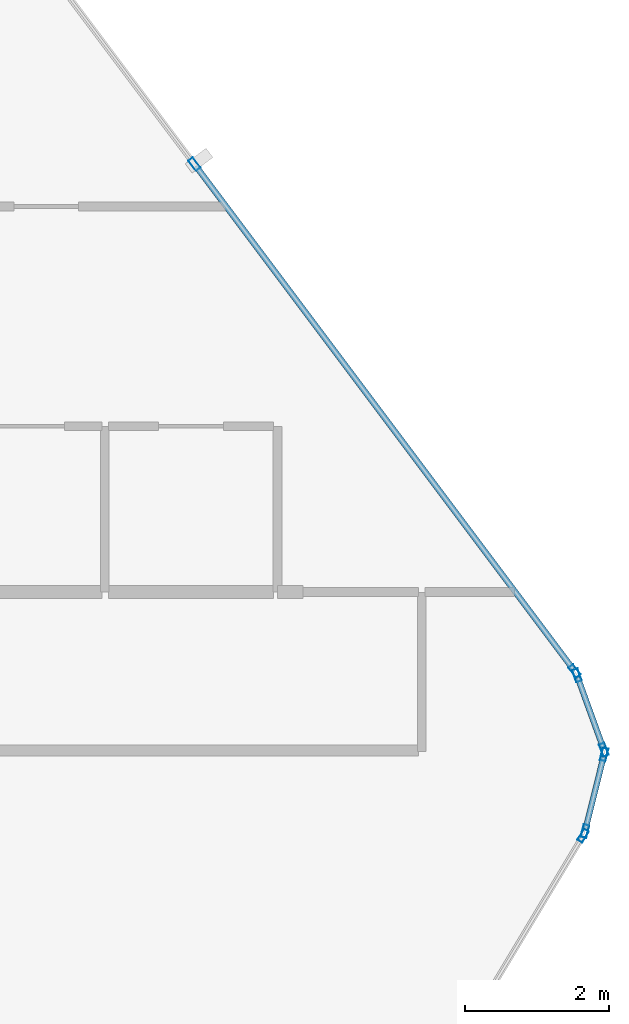
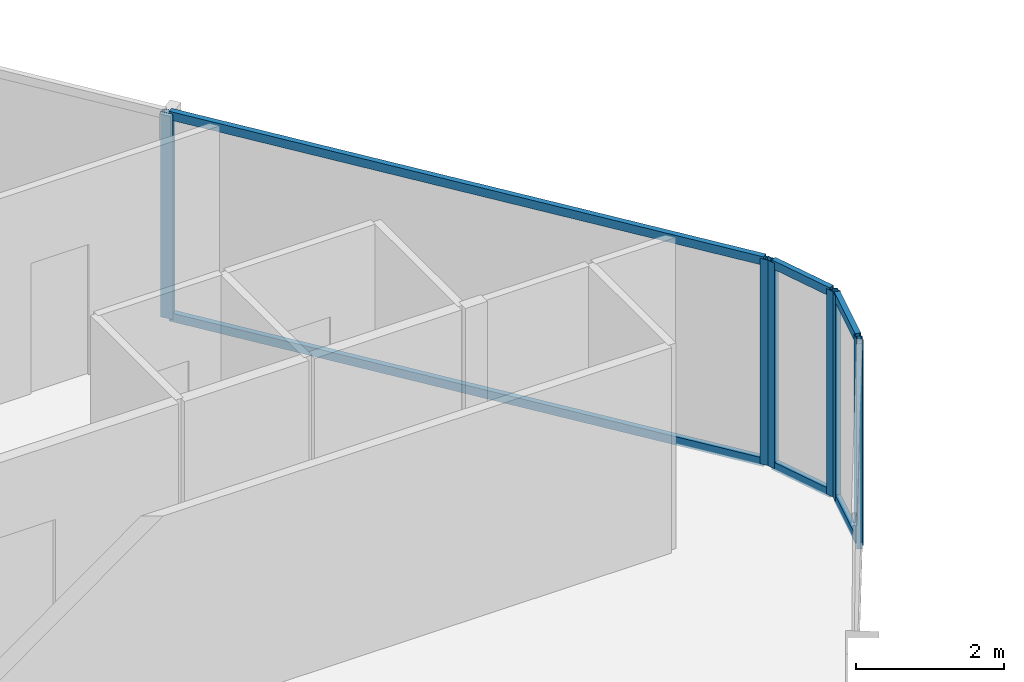
# One storey, part 18 of 30: 13 members, 4 elements without a shape of their own.
"""IFC4 building model written with IfcOpenShell, lengths in metres."""

from ifc_helpers import new_model, si_unit, direction, frame, origin, origin_2d, place, context, subcontext, project, spatial, hollow_rectangle, extrude, material, layer, layer_set, material_profile, profile_set, type_object, element, aggregate, save


model = new_model("IFC4")

# Units and contexts
model_context = context("Model", 3, precision=1e-05, world=origin(), true_north=direction((0.0, 1.0)))
body_context = subcontext(model_context, "Body", "Model", "MODEL_VIEW")
ifc_project = project(units=[si_unit("LENGTHUNIT", "METRE"), si_unit("AREAUNIT", "SQUARE_METRE"), si_unit("VOLUMEUNIT", "CUBIC_METRE"), si_unit("PLANEANGLEUNIT", "RADIAN"), si_unit("MASSUNIT", "GRAM", prefix="KILO")], contexts=[model_context])

# Site, building, storey
site_placement = place(None, origin())
site = spatial("IfcSite", under=ifc_project, at=site_placement, CompositionType="ELEMENT")
building_placement = place(site_placement, origin())
building = spatial("IfcBuilding", under=site, at=building_placement, Name="Keshet Zoharim Tower", CompositionType="ELEMENT")
storey_placement = place(building_placement, frame((0.0, 0.0, 109.39990234375)))
storey = spatial("IfcBuildingStorey", under=building, at=storey_placement, Name="L26", CompositionType="ELEMENT", Elevation=109.39990234375)

# Curtain wall, members
ifc_material = material(Name="Aluminium 6063-T6", Category="aluminium")
ifc_layer = layer(ifc_material, 0.159912109375)
ifc_layer_set = layer_set([ifc_layer], Name="Aluminium 6063-T6")
curtain_wall_type = type_object("IfcCurtainWallType", Name="CW-SYS-03", PredefinedType="NOTDEFINED", material=ifc_layer_set)
curtain_wall_1_placement = place(storey_placement, origin())
curtain_wall_1 = element("IfcCurtainWall", 1, at=curtain_wall_1_placement, inside=storey, type_object=curtain_wall_type, Name="L26 Unitised Curtain Wall 15", PredefinedType="NOTDEFINED")
ifc_material_profile_1 = material_profile(ifc_material, hollow_rectangle(XDim=0.080078125, YDim=0.179931640625, WallThickness=0.00439453125, at=origin_2d()), Name="MUL-80x180")
ifc_profile_set_1 = profile_set([ifc_material_profile_1], Name="Aluminium 6063-T6")
member_type_1 = type_object("IfcMemberType", Name="CWM-M18", PredefinedType="MULLION", material=ifc_profile_set_1)
member_1_placement = place(storey_placement, frame((56.896484375, 46.0380859375, 0.0), z_axis=(0.0, 0.0, 1.0), x_axis=(0.799999999998, 0.600000000002, 0.0)))
member_1 = element("IfcMember", 2, at=member_1_placement, type_object=member_type_1, Name="CW-03 mullion 2", PredefinedType="MULLION", context=body_context, shape_type="SweptSolid", body=[
    extrude(hollow_rectangle(XDim=0.080078125, YDim=0.179931640625, WallThickness=0.00439453125, at=origin_2d()), origin(), (0.0, 0.0, 1.0), 3.385009765625),
])
member_2_placement = place(storey_placement, frame((62.172119140625, 39.00390625, 0.0), z_axis=(0.0, 0.0, 1.0), x_axis=(0.799999999998, 0.600000000002, 0.0)))
member_2 = element("IfcMember", 3, at=member_2_placement, type_object=member_type_1, Name="CW-03 mullion 3", PredefinedType="MULLION", context=body_context, shape_type="SweptSolid", body=[
    extrude(hollow_rectangle(XDim=0.080078125, YDim=0.179931640625, WallThickness=0.00439453125, at=origin_2d()), origin(), (0.0, 0.0, 1.0), 3.385009765625),
])

curtain_wall_2_placement = place(storey_placement, origin())
curtain_wall_2 = element("IfcCurtainWall", 4, at=curtain_wall_2_placement, inside=storey, type_object=curtain_wall_type, Name="L26 Unitised Curtain Wall 16", PredefinedType="NOTDEFINED")
member_3_placement = place(storey_placement, frame((62.204833984375, 38.943115234375, 0.0), z_axis=(0.0, 0.0, 1.0), x_axis=(0.940317877544, 0.340297354046, 0.0)))
member_3 = element("IfcMember", 5, at=member_3_placement, type_object=member_type_1, Name="CW-03 mullion 1", PredefinedType="MULLION", context=body_context, shape_type="SweptSolid", body=[
    extrude(hollow_rectangle(XDim=0.080078125, YDim=0.179931640625, WallThickness=0.00439453125, at=origin_2d()), origin(), (0.0, 0.0, 1.0), 3.385009765625),
])
member_4_placement = place(storey_placement, frame((62.578125, 37.911865234375, 0.0), z_axis=(0.0, 0.0, 1.0), x_axis=(0.940317877544, 0.340297354046, 0.0)))
member_4 = element("IfcMember", 6, at=member_4_placement, type_object=member_type_1, Name="CW-03 mullion 2", PredefinedType="MULLION", context=body_context, shape_type="SweptSolid", body=[
    extrude(hollow_rectangle(XDim=0.080078125, YDim=0.179931640625, WallThickness=0.00439453125, at=origin_2d()), origin(), (0.0, 0.0, 1.0), 3.385009765625),
])

curtain_wall_3_placement = place(storey_placement, origin())
curtain_wall_3 = element("IfcCurtainWall", 7, at=curtain_wall_3_placement, inside=storey, type_object=curtain_wall_type, Name="L26 Unitised Curtain Wall 17", PredefinedType="NOTDEFINED")
member_5_placement = place(storey_placement, frame((62.58154296875, 37.844970703125, 0.0), z_axis=(0.0, 0.0, 1.0), x_axis=(0.970343857447, -0.241728770141, 0.0)))
member_5 = element("IfcMember", 8, at=member_5_placement, type_object=member_type_1, Name="CW-03 mullion 1", PredefinedType="MULLION", context=body_context, shape_type="SweptSolid", body=[
    extrude(hollow_rectangle(XDim=0.080078125, YDim=0.179931640625, WallThickness=0.00439453125, at=origin_2d()), origin(), (0.0, 0.0, 1.0), 3.385009765625),
])
member_6_placement = place(storey_placement, frame((62.31640625, 36.781005859375, 0.0), z_axis=(0.0, 0.0, 1.0), x_axis=(0.970343857447, -0.241728770141, 0.0)))
member_6 = element("IfcMember", 9, at=member_6_placement, type_object=member_type_1, Name="CW-03 mullion 2", PredefinedType="MULLION", context=body_context, shape_type="SweptSolid", body=[
    extrude(hollow_rectangle(XDim=0.080078125, YDim=0.179931640625, WallThickness=0.00439453125, at=origin_2d()), origin(), (0.0, 0.0, 1.0), 3.385009765625),
])

# Curtain wall, member
curtain_wall_4_placement = place(storey_placement, origin())
curtain_wall_4 = element("IfcCurtainWall", 10, at=curtain_wall_4_placement, inside=storey, type_object=curtain_wall_type, Name="L26 Unitised Curtain Wall 18", PredefinedType="NOTDEFINED")
member_7_placement = place(storey_placement, frame((62.2900390625, 36.717041015625, 0.0), z_axis=(0.0, 0.0, 1.0), x_axis=(0.857501477862, -0.514481501576, 0.0)))
member_7 = element("IfcMember", 11, at=member_7_placement, type_object=member_type_1, Name="CW-03 mullion 1", PredefinedType="MULLION", context=body_context, shape_type="SweptSolid", body=[
    extrude(hollow_rectangle(XDim=0.080078125, YDim=0.179931640625, WallThickness=0.00439453125, at=origin_2d()), origin(), (0.0, 0.0, 1.0), 3.385009765625),
])
aggregate(curtain_wall_4, [member_7])

# Member
ifc_material_profile_2 = material_profile(ifc_material, hollow_rectangle(XDim=0.080078125, YDim=0.139892578125, WallThickness=0.00390625, at=origin_2d()), Name="TRN-80x140")
ifc_profile_set_2 = profile_set([ifc_material_profile_2], Name="Aluminium 6063-T6")
member_type_2 = type_object("IfcMemberType", Name="CWT-T14", PredefinedType="USERDEFINED", material=ifc_profile_set_2)
member_8_placement = place(storey_placement, frame((56.91748046875, 46.010009765625, 0.03515625), z_axis=(0.599991043201, -0.800006717521, 0.0), x_axis=(0.800006717521, 0.599991043201, 0.0)))
member_8 = element("IfcMember", 12, at=member_8_placement, type_object=member_type_2, Name="CW-03 transom 2.1", ObjectType="TRANSOM", PredefinedType="USERDEFINED", context=body_context, shape_type="SweptSolid", body=[
    extrude(hollow_rectangle(XDim=0.080078125, YDim=0.139892578125, WallThickness=0.00390625, at=origin_2d()), origin(), (0.0, 0.0, 1.0), 8.722412109375),
])

member_9_placement = place(storey_placement, frame((56.91748046875, 46.010009765625, 3.35009765625), z_axis=(0.599991043201, -0.800006717521, 0.0), x_axis=(0.800006717521, 0.599991043201, 0.0)))
member_9 = element("IfcMember", 13, at=member_9_placement, type_object=member_type_2, Name="CW-03 transom 2.2", ObjectType="TRANSOM", PredefinedType="USERDEFINED", context=body_context, shape_type="SweptSolid", body=[
    extrude(hollow_rectangle(XDim=0.080078125, YDim=0.139892578125, WallThickness=0.00390625, at=origin_2d()), origin(), (0.0, 0.0, 1.0), 8.722412109375),
])

aggregate(curtain_wall_1, [member_1, member_2, member_8, member_9])

member_10_placement = place(storey_placement, frame((62.216796875, 38.91015625, 0.03515625), z_axis=(0.340310579984, -0.940313091024, 0.0), x_axis=(0.940313091024, 0.340310579984, 0.0)))
member_10 = element("IfcMember", 14, at=member_10_placement, type_object=member_type_2, Name="CW-03 transom 1.1", ObjectType="TRANSOM", PredefinedType="USERDEFINED", context=body_context, shape_type="SweptSolid", body=[
    extrude(hollow_rectangle(XDim=0.080078125, YDim=0.139892578125, WallThickness=0.00390625, at=origin_2d()), origin(), (0.0, 0.0, 1.0), 1.026611328125),
])

member_11_placement = place(storey_placement, frame((62.216796875, 38.91015625, 3.35009765625), z_axis=(0.340310579984, -0.940313091024, 0.0), x_axis=(0.940313091024, 0.340310579984, 0.0)))
member_11 = element("IfcMember", 15, at=member_11_placement, type_object=member_type_2, Name="CW-03 transom 1.2", ObjectType="TRANSOM", PredefinedType="USERDEFINED", context=body_context, shape_type="SweptSolid", body=[
    extrude(hollow_rectangle(XDim=0.080078125, YDim=0.139892578125, WallThickness=0.00390625, at=origin_2d()), origin(), (0.0, 0.0, 1.0), 1.026611328125),
])

aggregate(curtain_wall_2, [member_3, member_4, member_10, member_11])

member_12_placement = place(storey_placement, frame((62.572998046875, 37.81103515625, 0.03515625), z_axis=(-0.241640143717, -0.970365931463, 0.0), x_axis=(0.970365931463, -0.241640143717, 0.0)))
member_12 = element("IfcMember", 16, at=member_12_placement, type_object=member_type_2, Name="CW-03 transom 1.1", ObjectType="TRANSOM", PredefinedType="USERDEFINED", context=body_context, shape_type="SweptSolid", body=[
    extrude(hollow_rectangle(XDim=0.080078125, YDim=0.139892578125, WallThickness=0.00390625, at=origin_2d()), origin(), (0.0, 0.0, 1.0), 1.026611328125),
])

member_13_placement = place(storey_placement, frame((62.572998046875, 37.81103515625, 3.35009765625), z_axis=(-0.241640143717, -0.970365931463, 0.0), x_axis=(0.970365931463, -0.241640143717, 0.0)))
member_13 = element("IfcMember", 17, at=member_13_placement, type_object=member_type_2, Name="CW-03 transom 1.2", ObjectType="TRANSOM", PredefinedType="USERDEFINED", context=body_context, shape_type="SweptSolid", body=[
    extrude(hollow_rectangle(XDim=0.080078125, YDim=0.139892578125, WallThickness=0.00390625, at=origin_2d()), origin(), (0.0, 0.0, 1.0), 1.026611328125),
])

aggregate(curtain_wall_3, [member_5, member_6, member_12, member_13])

save(model, "model.ifc")
